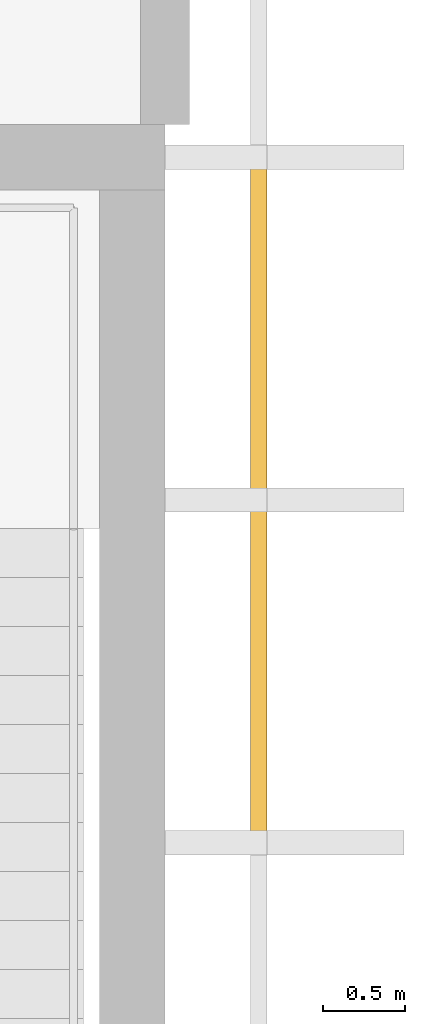
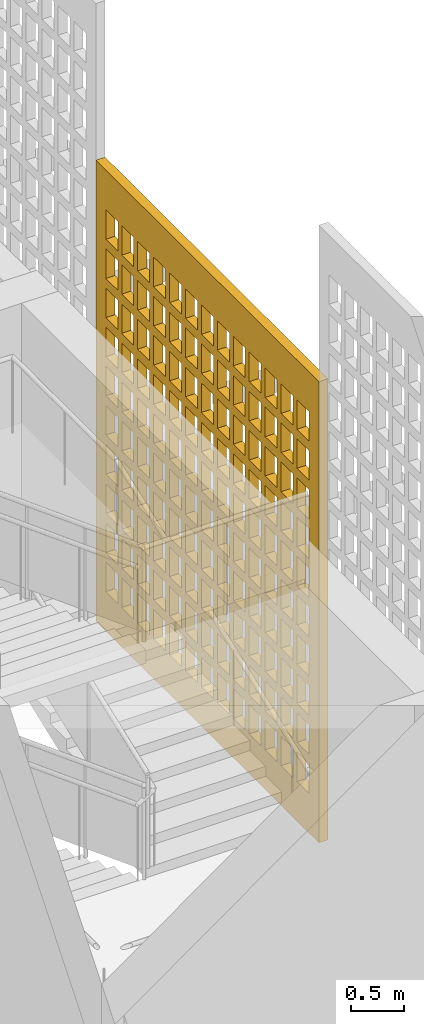
# One storey, part 17 of 23: 1 shading device, 1 opening.
"""IFC4 building model written with IfcOpenShell, lengths in metres."""

import ifcopenshell
import ifcopenshell.guid

model = None  # the IFC model being written
_history = None  # IfcOwnerHistory: only IFC2X3 demands one
_inside = {}  # id of a spatial element -> (the spatial element, [elements in it])
_under = {}  # id of a project, library or spatial element -> (it, [spatial elements below it])
_declared = {}  # id of a project -> (the project, [libraries it declares])
_typed = {}  # id of a type object -> (the type object, [elements of that type])
_made_of = {}  # id of a material, layer set ... -> (it, [elements and type objects made of it])


def new_model(schema):
    """Start an empty IFC model of exactly this schema.

    Asked for "IFC4X3", IfcOpenShell would pick the latest addendum, in which some entities
    have other attributes; the version numbers below select the first issue.
    IFC2X3 requires an IfcOwnerHistory on every rooted entity: one is made here for all.
    """
    global model, _history
    if schema == "IFC4X3":
        model = ifcopenshell.file(schema_version=(4, 3, 0, 0))
    else:
        model = ifcopenshell.file(schema=schema)
    _inside.clear()
    _under.clear()
    _declared.clear()
    _typed.clear()
    _made_of.clear()
    _history = None
    if model.schema == "IFC2X3":
        org = make("IfcOrganization", Name="unknown")
        user = make(
            "IfcPersonAndOrganization",
            ThePerson=make("IfcPerson", FamilyName="unknown"),
            TheOrganization=org,
        )
        app = make(
            "IfcApplication",
            ApplicationDeveloper=org,
            Version="unknown",
            ApplicationFullName="unknown",
            ApplicationIdentifier="unknown",
        )
        _history = make(
            "IfcOwnerHistory",
            OwningUser=user,
            OwningApplication=app,
            ChangeAction="ADDED",
            CreationDate=0,
        )
    return model


def make(cls, **values):
    """One entity of the class cls with the attributes given. An attribute that is None is left unset."""
    return model.create_entity(
        cls, **{name: value for name, value in values.items() if value is not None}
    )


def rooted(cls, **values):
    """An entity with a GlobalId (a new one), such as an element, a storey or a relation."""
    return make(cls, GlobalId=ifcopenshell.guid.new(), OwnerHistory=_history, **values)


def si_unit(unit_type, name, prefix=None):
    """IfcSIUnit, for example si_unit("LENGTHUNIT", "METRE", prefix="MILLI")."""
    return make("IfcSIUnit", UnitType=unit_type, Prefix=prefix, Name=name)


def assignment(units):
    """IfcUnitAssignment: the units of a project."""
    return None if units is None else make("IfcUnitAssignment", Units=units)


def point(xyz):
    """IfcCartesianPoint."""
    return None if xyz is None else make("IfcCartesianPoint", Coordinates=xyz)


def direction(xyz):
    """IfcDirection."""
    return None if xyz is None else make("IfcDirection", DirectionRatios=xyz)


def frame(location, z_axis=None, x_axis=None):
    """IfcAxis2Placement3D, a coordinate frame: its origin and axes. An axis left out is left unset."""
    return make(
        "IfcAxis2Placement3D",
        Location=point(location),
        Axis=direction(z_axis),
        RefDirection=direction(x_axis),
    )


def frame_2d(location, x_axis=None):
    """IfcAxis2Placement2D, a coordinate frame in the plane: its origin and x axis."""
    return make(
        "IfcAxis2Placement2D", Location=point(location), RefDirection=direction(x_axis)
    )


def origin():
    """The frame at (0, 0, 0) with its axes left unset."""
    return frame((0.0, 0.0, 0.0))


def origin_2d():
    """The frame at (0, 0) in the plane with its x axis left unset."""
    return frame_2d((0.0, 0.0))


def place(relative_to, where):
    """IfcLocalPlacement: puts the frame where relative to a parent placement (None: the world)."""
    return make(
        "IfcLocalPlacement", PlacementRelTo=relative_to, RelativePlacement=where
    )


def context(
    kind, dimensions, precision=None, world=None, true_north=None, identifier=None
):
    """IfcGeometricRepresentationContext, for example the 3D "Model" context."""
    return make(
        "IfcGeometricRepresentationContext",
        ContextIdentifier=identifier,
        ContextType=kind,
        CoordinateSpaceDimension=dimensions,
        Precision=precision,
        WorldCoordinateSystem=world,
        TrueNorth=true_north,
    )


def subcontext(parent, identifier, kind, view, scale=None):
    """IfcGeometricRepresentationSubContext, for example "Body" below "Model"."""
    return make(
        "IfcGeometricRepresentationSubContext",
        ContextIdentifier=identifier,
        ContextType=kind,
        ParentContext=parent,
        TargetScale=scale,
        TargetView=view,
    )


def project(units=None, contexts=None):
    """IfcProject with its units and contexts."""
    return rooted(
        "IfcProject",
        Name="project",
        RepresentationContexts=contexts,
        UnitsInContext=assignment(units),
    )


def spatial(cls, under=None, at=None, **own):
    """A site, building, storey or space (cls), placed at a placement, below another one or the project."""
    s = rooted(cls, ObjectPlacement=at, **own)
    if under is not None:
        _under.setdefault(under.id(), (under, []))[1].append(s)
    return s


def profile(cls, at=None, kind="AREA", **sizes):
    """A parametric profile (cls). Its sizes go by their IFC names, for example OverallWidth=200.0."""
    return make(cls, ProfileType=kind, Position=at, **sizes)


def rectangle(**sizes):
    """IfcRectangleProfileDef."""
    return profile("IfcRectangleProfileDef", **sizes)


def extrude(swept, where, along, depth):
    """IfcExtrudedAreaSolid: the profile swept, set in the frame where, extruded along a direction by depth."""
    return make(
        "IfcExtrudedAreaSolid",
        SweptArea=swept,
        Position=where,
        ExtrudedDirection=direction(along),
        Depth=depth,
    )


def shape(context_of_items, identifier, shape_type, items):
    """IfcShapeRepresentation: the items that make up one representation, for example the "Body"."""
    return make(
        "IfcShapeRepresentation",
        ContextOfItems=context_of_items,
        RepresentationIdentifier=identifier,
        RepresentationType=shape_type,
        Items=items,
    )


def material(Name=None, Category=None):
    """IfcMaterial."""
    return make("IfcMaterial", Name=Name, Category=Category)


def layer(
    of_material, thickness, ventilated=None, Name=None, Category=None, Priority=None
):
    """IfcMaterialLayer: one layer of a wall or slab, of a material (None: an air gap)."""
    return make(
        "IfcMaterialLayer",
        Material=of_material,
        LayerThickness=thickness,
        IsVentilated=ventilated,
        Name=Name,
        Category=Category,
        Priority=Priority,
    )


def layer_set(layers, Name=None):
    """IfcMaterialLayerSet."""
    return make("IfcMaterialLayerSet", MaterialLayers=layers, LayerSetName=Name)


def made_of(thing, what):
    """Note that an element or type object is made of a material, layer set ...; save() writes the relation."""
    if what is not None:
        _made_of.setdefault(what.id(), (what, []))[1].append(thing)
    return thing


def type_object(cls, material=None, **own):
    """A type object (cls), such as IfcWallType, which elements share."""
    return made_of(rooted(cls, **own), material)


def element(
    cls,
    number,
    at=None,
    inside=None,
    cuts=None,
    type_object=None,
    material=None,
    context=None,
    identifier="Body",
    shape_type=None,
    held_by="IfcProductDefinitionShape",
    body=None,
    shapes=None,
    **own,
):
    """One element of the class cls, such as IfcWall. Its Tag is "e" and its number.

    at: its placement. inside: the storey or other place that contains it. cuts: it is an
    opening in that element (IfcRelVoidsElement). A single representation is given by context,
    identifier, shape_type and body (its items); several are given by shapes. held_by: the class
    of the entity that holds the representations. save() writes the other relations.
    """
    e = rooted(cls, Tag="e%d" % number, ObjectPlacement=at, **own)
    if body is not None:
        shapes = [shape(context, identifier, shape_type, body)]
    if shapes is not None:
        e.Representation = make(held_by, Representations=shapes)
    if inside is not None:
        _inside.setdefault(inside.id(), (inside, []))[1].append(e)
    if cuts is not None:
        rooted(
            "IfcRelVoidsElement", RelatingBuildingElement=cuts, RelatedOpeningElement=e
        )
    if type_object is not None:
        _typed.setdefault(type_object.id(), (type_object, []))[1].append(e)
    return made_of(e, material)


def aggregate(whole, parts):
    """IfcRelAggregates: a whole, such as a stair, and the parts it consists of."""
    return rooted("IfcRelAggregates", RelatingObject=whole, RelatedObjects=parts)


def save(model, path):
    """Write the relations noted so far, then the file.

    IfcRelAggregates (storeys below a building ...), IfcRelContainedInSpatialStructure (elements
    in a storey), IfcRelDefinesByType, IfcRelAssociatesMaterial and IfcRelDeclares: one each for
    every whole, place, type object, material and project.
    """
    for whole, parts in _under.values():
        aggregate(whole, parts)
    for where, things in _inside.values():
        rooted(
            "IfcRelContainedInSpatialStructure",
            RelatedElements=things,
            RelatingStructure=where,
        )
    for kind, things in _typed.values():
        rooted("IfcRelDefinesByType", RelatedObjects=things, RelatingType=kind)
    for what, things in _made_of.values():
        rooted("IfcRelAssociatesMaterial", RelatedObjects=things, RelatingMaterial=what)
    for by, libraries in _declared.values():
        rooted("IfcRelDeclares", RelatingContext=by, RelatedDefinitions=libraries)
    model.write(path)


model = new_model("IFC4")

# Units and contexts
model_context = context("Model", 3, precision=1e-05, world=origin(), true_north=direction((0.0, 1.0)))
body_context = subcontext(model_context, "Body", "Model", "MODEL_VIEW")
ifc_project = project(units=[si_unit("LENGTHUNIT", "METRE"), si_unit("AREAUNIT", "SQUARE_METRE"), si_unit("VOLUMEUNIT", "CUBIC_METRE"), si_unit("PLANEANGLEUNIT", "RADIAN"), si_unit("MASSUNIT", "GRAM", prefix="KILO")], contexts=[model_context])

# Site, building, storey
site_placement = place(None, origin())
site = spatial("IfcSite", under=ifc_project, at=site_placement, CompositionType="ELEMENT")
building_placement = place(site_placement, origin())
building = spatial("IfcBuilding", under=site, at=building_placement, Name="Rulbaag Community and Learning Centre", CompositionType="ELEMENT")
storey_placement = place(building_placement, frame((0.0, 0.0, 64.800048828125)))
storey = spatial("IfcBuildingStorey", under=building, at=storey_placement, Name="L17", CompositionType="ELEMENT", Elevation=64.800048828125)

# Shading device, opening
ifc_material = material(Name="Concrete M40", Category="concrete")
ifc_layer = layer(ifc_material, 0.10009765625)
ifc_layer_set = layer_set([ifc_layer], Name="JC-4")
shading_device_type = type_object("IfcShadingDeviceType", Name="JC-4", PredefinedType="SHUTTER", material=ifc_layer_set)
shading_device_placement = place(storey_placement, frame((168.574951171875, 107.10009765625, 0.0), z_axis=(0.0, 0.0, 1.0), x_axis=(1.0, 0.0, 0.0)))
shading_device = element("IfcShadingDevice", 1, at=shading_device_placement, inside=storey, type_object=shading_device_type, Name="Jaali lantern screen", PredefinedType="SHUTTER", context=body_context, shape_type="SweptSolid", body=[
    extrude(rectangle(XDim=0.10009765625, YDim=4.199951171875, at=origin_2d()), origin(), (0.0, 0.0, 1.0), 5.300048828125),
])
opening_placement = place(shading_device_placement, origin())
element("IfcOpeningElement", 2, at=opening_placement, cuts=shading_device, Name="Perforation JC4", PredefinedType="OPENING", context=body_context, shape_type="SweptSolid", body=[
    extrude(rectangle(XDim=0.22509765625, YDim=0.340087890625, at=origin_2d()), frame((-0.06005859375, -1.800048828125, 0.625), z_axis=(1.0, 0.0, 0.0), x_axis=(0.0, 1.0, 0.0)), (0.0, 0.0, 1.0), 0.1201171875),
    extrude(rectangle(XDim=0.22509765625, YDim=0.340087890625, at=origin_2d()), frame((-0.06005859375, -1.5, 0.625), z_axis=(1.0, 0.0, 0.0), x_axis=(0.0, 1.0, 0.0)), (0.0, 0.0, 1.0), 0.1201171875),
    extrude(rectangle(XDim=0.22509765625, YDim=0.340087890625, at=origin_2d()), frame((-0.06005859375, -1.199951171875, 0.625), z_axis=(1.0, 0.0, 0.0), x_axis=(0.0, 1.0, 0.0)), (0.0, 0.0, 1.0), 0.1201171875),
    extrude(rectangle(XDim=0.22509765625, YDim=0.340087890625, at=origin_2d()), frame((-0.06005859375, -0.89990234375, 0.625), z_axis=(1.0, 0.0, 0.0), x_axis=(0.0, 1.0, 0.0)), (0.0, 0.0, 1.0), 0.1201171875),
    extrude(rectangle(XDim=0.22509765625, YDim=0.340087890625, at=origin_2d()), frame((-0.06005859375, -0.60009765625, 0.625), z_axis=(1.0, 0.0, 0.0), x_axis=(0.0, 1.0, 0.0)), (0.0, 0.0, 1.0), 0.1201171875),
    extrude(rectangle(XDim=0.22509765625, YDim=0.340087890625, at=origin_2d()), frame((-0.06005859375, -0.300048828125, 0.625), z_axis=(1.0, 0.0, 0.0), x_axis=(0.0, 1.0, 0.0)), (0.0, 0.0, 1.0), 0.1201171875),
    extrude(rectangle(XDim=0.22509765625, YDim=0.340087890625, at=origin_2d()), frame((-0.06005859375, 0.0, 0.625), z_axis=(1.0, 0.0, 0.0), x_axis=(0.0, 1.0, 0.0)), (0.0, 0.0, 1.0), 0.1201171875),
    extrude(rectangle(XDim=0.22509765625, YDim=0.340087890625, at=origin_2d()), frame((-0.06005859375, 0.300048828125, 0.625), z_axis=(1.0, 0.0, 0.0), x_axis=(0.0, 1.0, 0.0)), (0.0, 0.0, 1.0), 0.1201171875),
    extrude(rectangle(XDim=0.22509765625, YDim=0.340087890625, at=origin_2d()), frame((-0.06005859375, 0.60009765625, 0.625), z_axis=(1.0, 0.0, 0.0), x_axis=(0.0, 1.0, 0.0)), (0.0, 0.0, 1.0), 0.1201171875),
    extrude(rectangle(XDim=0.22509765625, YDim=0.340087890625, at=origin_2d()), frame((-0.06005859375, 0.89990234375, 0.625), z_axis=(1.0, 0.0, 0.0), x_axis=(0.0, 1.0, 0.0)), (0.0, 0.0, 1.0), 0.1201171875),
    extrude(rectangle(XDim=0.22509765625, YDim=0.340087890625, at=origin_2d()), frame((-0.06005859375, 1.199951171875, 0.625), z_axis=(1.0, 0.0, 0.0), x_axis=(0.0, 1.0, 0.0)), (0.0, 0.0, 1.0), 0.1201171875),
    extrude(rectangle(XDim=0.22509765625, YDim=0.340087890625, at=origin_2d()), frame((-0.06005859375, 1.5, 0.625), z_axis=(1.0, 0.0, 0.0), x_axis=(0.0, 1.0, 0.0)), (0.0, 0.0, 1.0), 0.1201171875),
    extrude(rectangle(XDim=0.22509765625, YDim=0.340087890625, at=origin_2d()), frame((-0.06005859375, 1.800048828125, 0.625), z_axis=(1.0, 0.0, 0.0), x_axis=(0.0, 1.0, 0.0)), (0.0, 0.0, 1.0), 0.1201171875),
    extrude(rectangle(XDim=0.22509765625, YDim=0.340087890625, at=origin_2d()), frame((-0.06005859375, -1.800048828125, 1.074951171875), z_axis=(1.0, 0.0, 0.0), x_axis=(0.0, 1.0, 0.0)), (0.0, 0.0, 1.0), 0.1201171875),
    extrude(rectangle(XDim=0.22509765625, YDim=0.340087890625, at=origin_2d()), frame((-0.06005859375, -1.5, 1.074951171875), z_axis=(1.0, 0.0, 0.0), x_axis=(0.0, 1.0, 0.0)), (0.0, 0.0, 1.0), 0.1201171875),
    extrude(rectangle(XDim=0.22509765625, YDim=0.340087890625, at=origin_2d()), frame((-0.06005859375, -1.199951171875, 1.074951171875), z_axis=(1.0, 0.0, 0.0), x_axis=(0.0, 1.0, 0.0)), (0.0, 0.0, 1.0), 0.1201171875),
    extrude(rectangle(XDim=0.22509765625, YDim=0.340087890625, at=origin_2d()), frame((-0.06005859375, -0.89990234375, 1.074951171875), z_axis=(1.0, 0.0, 0.0), x_axis=(0.0, 1.0, 0.0)), (0.0, 0.0, 1.0), 0.1201171875),
    extrude(rectangle(XDim=0.22509765625, YDim=0.340087890625, at=origin_2d()), frame((-0.06005859375, -0.60009765625, 1.074951171875), z_axis=(1.0, 0.0, 0.0), x_axis=(0.0, 1.0, 0.0)), (0.0, 0.0, 1.0), 0.1201171875),
    extrude(rectangle(XDim=0.22509765625, YDim=0.340087890625, at=origin_2d()), frame((-0.06005859375, -0.300048828125, 1.074951171875), z_axis=(1.0, 0.0, 0.0), x_axis=(0.0, 1.0, 0.0)), (0.0, 0.0, 1.0), 0.1201171875),
    extrude(rectangle(XDim=0.22509765625, YDim=0.340087890625, at=origin_2d()), frame((-0.06005859375, 0.0, 1.074951171875), z_axis=(1.0, 0.0, 0.0), x_axis=(0.0, 1.0, 0.0)), (0.0, 0.0, 1.0), 0.1201171875),
    extrude(rectangle(XDim=0.22509765625, YDim=0.340087890625, at=origin_2d()), frame((-0.06005859375, 0.300048828125, 1.074951171875), z_axis=(1.0, 0.0, 0.0), x_axis=(0.0, 1.0, 0.0)), (0.0, 0.0, 1.0), 0.1201171875),
    extrude(rectangle(XDim=0.22509765625, YDim=0.340087890625, at=origin_2d()), frame((-0.06005859375, 0.60009765625, 1.074951171875), z_axis=(1.0, 0.0, 0.0), x_axis=(0.0, 1.0, 0.0)), (0.0, 0.0, 1.0), 0.1201171875),
    extrude(rectangle(XDim=0.22509765625, YDim=0.340087890625, at=origin_2d()), frame((-0.06005859375, 0.89990234375, 1.074951171875), z_axis=(1.0, 0.0, 0.0), x_axis=(0.0, 1.0, 0.0)), (0.0, 0.0, 1.0), 0.1201171875),
    extrude(rectangle(XDim=0.22509765625, YDim=0.340087890625, at=origin_2d()), frame((-0.06005859375, 1.199951171875, 1.074951171875), z_axis=(1.0, 0.0, 0.0), x_axis=(0.0, 1.0, 0.0)), (0.0, 0.0, 1.0), 0.1201171875),
    extrude(rectangle(XDim=0.22509765625, YDim=0.340087890625, at=origin_2d()), frame((-0.06005859375, 1.5, 1.074951171875), z_axis=(1.0, 0.0, 0.0), x_axis=(0.0, 1.0, 0.0)), (0.0, 0.0, 1.0), 0.1201171875),
    extrude(rectangle(XDim=0.22509765625, YDim=0.340087890625, at=origin_2d()), frame((-0.06005859375, 1.800048828125, 1.074951171875), z_axis=(1.0, 0.0, 0.0), x_axis=(0.0, 1.0, 0.0)), (0.0, 0.0, 1.0), 0.1201171875),
    extrude(rectangle(XDim=0.22509765625, YDim=0.340087890625, at=origin_2d()), frame((-0.06005859375, -1.800048828125, 1.52490234375), z_axis=(1.0, 0.0, 0.0), x_axis=(0.0, 1.0, 0.0)), (0.0, 0.0, 1.0), 0.1201171875),
    extrude(rectangle(XDim=0.22509765625, YDim=0.340087890625, at=origin_2d()), frame((-0.06005859375, -1.5, 1.52490234375), z_axis=(1.0, 0.0, 0.0), x_axis=(0.0, 1.0, 0.0)), (0.0, 0.0, 1.0), 0.1201171875),
    extrude(rectangle(XDim=0.22509765625, YDim=0.340087890625, at=origin_2d()), frame((-0.06005859375, -1.199951171875, 1.52490234375), z_axis=(1.0, 0.0, 0.0), x_axis=(0.0, 1.0, 0.0)), (0.0, 0.0, 1.0), 0.1201171875),
    extrude(rectangle(XDim=0.22509765625, YDim=0.340087890625, at=origin_2d()), frame((-0.06005859375, -0.89990234375, 1.52490234375), z_axis=(1.0, 0.0, 0.0), x_axis=(0.0, 1.0, 0.0)), (0.0, 0.0, 1.0), 0.1201171875),
    extrude(rectangle(XDim=0.22509765625, YDim=0.340087890625, at=origin_2d()), frame((-0.06005859375, -0.60009765625, 1.52490234375), z_axis=(1.0, 0.0, 0.0), x_axis=(0.0, 1.0, 0.0)), (0.0, 0.0, 1.0), 0.1201171875),
    extrude(rectangle(XDim=0.22509765625, YDim=0.340087890625, at=origin_2d()), frame((-0.06005859375, -0.300048828125, 1.52490234375), z_axis=(1.0, 0.0, 0.0), x_axis=(0.0, 1.0, 0.0)), (0.0, 0.0, 1.0), 0.1201171875),
    extrude(rectangle(XDim=0.22509765625, YDim=0.340087890625, at=origin_2d()), frame((-0.06005859375, 0.0, 1.52490234375), z_axis=(1.0, 0.0, 0.0), x_axis=(0.0, 1.0, 0.0)), (0.0, 0.0, 1.0), 0.1201171875),
    extrude(rectangle(XDim=0.22509765625, YDim=0.340087890625, at=origin_2d()), frame((-0.06005859375, 0.300048828125, 1.52490234375), z_axis=(1.0, 0.0, 0.0), x_axis=(0.0, 1.0, 0.0)), (0.0, 0.0, 1.0), 0.1201171875),
    extrude(rectangle(XDim=0.22509765625, YDim=0.340087890625, at=origin_2d()), frame((-0.06005859375, 0.60009765625, 1.52490234375), z_axis=(1.0, 0.0, 0.0), x_axis=(0.0, 1.0, 0.0)), (0.0, 0.0, 1.0), 0.1201171875),
    extrude(rectangle(XDim=0.22509765625, YDim=0.340087890625, at=origin_2d()), frame((-0.06005859375, 0.89990234375, 1.52490234375), z_axis=(1.0, 0.0, 0.0), x_axis=(0.0, 1.0, 0.0)), (0.0, 0.0, 1.0), 0.1201171875),
    extrude(rectangle(XDim=0.22509765625, YDim=0.340087890625, at=origin_2d()), frame((-0.06005859375, 1.199951171875, 1.52490234375), z_axis=(1.0, 0.0, 0.0), x_axis=(0.0, 1.0, 0.0)), (0.0, 0.0, 1.0), 0.1201171875),
    extrude(rectangle(XDim=0.22509765625, YDim=0.340087890625, at=origin_2d()), frame((-0.06005859375, 1.5, 1.52490234375), z_axis=(1.0, 0.0, 0.0), x_axis=(0.0, 1.0, 0.0)), (0.0, 0.0, 1.0), 0.1201171875),
    extrude(rectangle(XDim=0.22509765625, YDim=0.340087890625, at=origin_2d()), frame((-0.06005859375, 1.800048828125, 1.52490234375), z_axis=(1.0, 0.0, 0.0), x_axis=(0.0, 1.0, 0.0)), (0.0, 0.0, 1.0), 0.1201171875),
    extrude(rectangle(XDim=0.22509765625, YDim=0.340087890625, at=origin_2d()), frame((-0.06005859375, -1.800048828125, 1.97509765625), z_axis=(1.0, 0.0, 0.0), x_axis=(0.0, 1.0, 0.0)), (0.0, 0.0, 1.0), 0.1201171875),
    extrude(rectangle(XDim=0.22509765625, YDim=0.340087890625, at=origin_2d()), frame((-0.06005859375, -1.5, 1.97509765625), z_axis=(1.0, 0.0, 0.0), x_axis=(0.0, 1.0, 0.0)), (0.0, 0.0, 1.0), 0.1201171875),
    extrude(rectangle(XDim=0.22509765625, YDim=0.340087890625, at=origin_2d()), frame((-0.06005859375, -1.199951171875, 1.97509765625), z_axis=(1.0, 0.0, 0.0), x_axis=(0.0, 1.0, 0.0)), (0.0, 0.0, 1.0), 0.1201171875),
    extrude(rectangle(XDim=0.22509765625, YDim=0.340087890625, at=origin_2d()), frame((-0.06005859375, -0.89990234375, 1.97509765625), z_axis=(1.0, 0.0, 0.0), x_axis=(0.0, 1.0, 0.0)), (0.0, 0.0, 1.0), 0.1201171875),
    extrude(rectangle(XDim=0.22509765625, YDim=0.340087890625, at=origin_2d()), frame((-0.06005859375, -0.60009765625, 1.97509765625), z_axis=(1.0, 0.0, 0.0), x_axis=(0.0, 1.0, 0.0)), (0.0, 0.0, 1.0), 0.1201171875),
    extrude(rectangle(XDim=0.22509765625, YDim=0.340087890625, at=origin_2d()), frame((-0.06005859375, -0.300048828125, 1.97509765625), z_axis=(1.0, 0.0, 0.0), x_axis=(0.0, 1.0, 0.0)), (0.0, 0.0, 1.0), 0.1201171875),
    extrude(rectangle(XDim=0.22509765625, YDim=0.340087890625, at=origin_2d()), frame((-0.06005859375, 0.0, 1.97509765625), z_axis=(1.0, 0.0, 0.0), x_axis=(0.0, 1.0, 0.0)), (0.0, 0.0, 1.0), 0.1201171875),
    extrude(rectangle(XDim=0.22509765625, YDim=0.340087890625, at=origin_2d()), frame((-0.06005859375, 0.300048828125, 1.97509765625), z_axis=(1.0, 0.0, 0.0), x_axis=(0.0, 1.0, 0.0)), (0.0, 0.0, 1.0), 0.1201171875),
    extrude(rectangle(XDim=0.22509765625, YDim=0.340087890625, at=origin_2d()), frame((-0.06005859375, 0.60009765625, 1.97509765625), z_axis=(1.0, 0.0, 0.0), x_axis=(0.0, 1.0, 0.0)), (0.0, 0.0, 1.0), 0.1201171875),
    extrude(rectangle(XDim=0.22509765625, YDim=0.340087890625, at=origin_2d()), frame((-0.06005859375, 0.89990234375, 1.97509765625), z_axis=(1.0, 0.0, 0.0), x_axis=(0.0, 1.0, 0.0)), (0.0, 0.0, 1.0), 0.1201171875),
    extrude(rectangle(XDim=0.22509765625, YDim=0.340087890625, at=origin_2d()), frame((-0.06005859375, 1.199951171875, 1.97509765625), z_axis=(1.0, 0.0, 0.0), x_axis=(0.0, 1.0, 0.0)), (0.0, 0.0, 1.0), 0.1201171875),
    extrude(rectangle(XDim=0.22509765625, YDim=0.340087890625, at=origin_2d()), frame((-0.06005859375, 1.5, 1.97509765625), z_axis=(1.0, 0.0, 0.0), x_axis=(0.0, 1.0, 0.0)), (0.0, 0.0, 1.0), 0.1201171875),
    extrude(rectangle(XDim=0.22509765625, YDim=0.340087890625, at=origin_2d()), frame((-0.06005859375, 1.800048828125, 1.97509765625), z_axis=(1.0, 0.0, 0.0), x_axis=(0.0, 1.0, 0.0)), (0.0, 0.0, 1.0), 0.1201171875),
    extrude(rectangle(XDim=0.22509765625, YDim=0.340087890625, at=origin_2d()), frame((-0.06005859375, -1.800048828125, 2.425048828125), z_axis=(1.0, 0.0, 0.0), x_axis=(0.0, 1.0, 0.0)), (0.0, 0.0, 1.0), 0.1201171875),
    extrude(rectangle(XDim=0.22509765625, YDim=0.340087890625, at=origin_2d()), frame((-0.06005859375, -1.5, 2.425048828125), z_axis=(1.0, 0.0, 0.0), x_axis=(0.0, 1.0, 0.0)), (0.0, 0.0, 1.0), 0.1201171875),
    extrude(rectangle(XDim=0.22509765625, YDim=0.340087890625, at=origin_2d()), frame((-0.06005859375, -1.199951171875, 2.425048828125), z_axis=(1.0, 0.0, 0.0), x_axis=(0.0, 1.0, 0.0)), (0.0, 0.0, 1.0), 0.1201171875),
    extrude(rectangle(XDim=0.22509765625, YDim=0.340087890625, at=origin_2d()), frame((-0.06005859375, -0.89990234375, 2.425048828125), z_axis=(1.0, 0.0, 0.0), x_axis=(0.0, 1.0, 0.0)), (0.0, 0.0, 1.0), 0.1201171875),
    extrude(rectangle(XDim=0.22509765625, YDim=0.340087890625, at=origin_2d()), frame((-0.06005859375, -0.60009765625, 2.425048828125), z_axis=(1.0, 0.0, 0.0), x_axis=(0.0, 1.0, 0.0)), (0.0, 0.0, 1.0), 0.1201171875),
    extrude(rectangle(XDim=0.22509765625, YDim=0.340087890625, at=origin_2d()), frame((-0.06005859375, -0.300048828125, 2.425048828125), z_axis=(1.0, 0.0, 0.0), x_axis=(0.0, 1.0, 0.0)), (0.0, 0.0, 1.0), 0.1201171875),
    extrude(rectangle(XDim=0.22509765625, YDim=0.340087890625, at=origin_2d()), frame((-0.06005859375, 0.0, 2.425048828125), z_axis=(1.0, 0.0, 0.0), x_axis=(0.0, 1.0, 0.0)), (0.0, 0.0, 1.0), 0.1201171875),
    extrude(rectangle(XDim=0.22509765625, YDim=0.340087890625, at=origin_2d()), frame((-0.06005859375, 0.300048828125, 2.425048828125), z_axis=(1.0, 0.0, 0.0), x_axis=(0.0, 1.0, 0.0)), (0.0, 0.0, 1.0), 0.1201171875),
    extrude(rectangle(XDim=0.22509765625, YDim=0.340087890625, at=origin_2d()), frame((-0.06005859375, 0.60009765625, 2.425048828125), z_axis=(1.0, 0.0, 0.0), x_axis=(0.0, 1.0, 0.0)), (0.0, 0.0, 1.0), 0.1201171875),
    extrude(rectangle(XDim=0.22509765625, YDim=0.340087890625, at=origin_2d()), frame((-0.06005859375, 0.89990234375, 2.425048828125), z_axis=(1.0, 0.0, 0.0), x_axis=(0.0, 1.0, 0.0)), (0.0, 0.0, 1.0), 0.1201171875),
    extrude(rectangle(XDim=0.22509765625, YDim=0.340087890625, at=origin_2d()), frame((-0.06005859375, 1.199951171875, 2.425048828125), z_axis=(1.0, 0.0, 0.0), x_axis=(0.0, 1.0, 0.0)), (0.0, 0.0, 1.0), 0.1201171875),
    extrude(rectangle(XDim=0.22509765625, YDim=0.340087890625, at=origin_2d()), frame((-0.06005859375, 1.5, 2.425048828125), z_axis=(1.0, 0.0, 0.0), x_axis=(0.0, 1.0, 0.0)), (0.0, 0.0, 1.0), 0.1201171875),
    extrude(rectangle(XDim=0.22509765625, YDim=0.340087890625, at=origin_2d()), frame((-0.06005859375, 1.800048828125, 2.425048828125), z_axis=(1.0, 0.0, 0.0), x_axis=(0.0, 1.0, 0.0)), (0.0, 0.0, 1.0), 0.1201171875),
    extrude(rectangle(XDim=0.22509765625, YDim=0.340087890625, at=origin_2d()), frame((-0.06005859375, -1.800048828125, 2.875), z_axis=(1.0, 0.0, 0.0), x_axis=(0.0, 1.0, 0.0)), (0.0, 0.0, 1.0), 0.1201171875),
    extrude(rectangle(XDim=0.22509765625, YDim=0.340087890625, at=origin_2d()), frame((-0.06005859375, -1.5, 2.875), z_axis=(1.0, 0.0, 0.0), x_axis=(0.0, 1.0, 0.0)), (0.0, 0.0, 1.0), 0.1201171875),
    extrude(rectangle(XDim=0.22509765625, YDim=0.340087890625, at=origin_2d()), frame((-0.06005859375, -1.199951171875, 2.875), z_axis=(1.0, 0.0, 0.0), x_axis=(0.0, 1.0, 0.0)), (0.0, 0.0, 1.0), 0.1201171875),
    extrude(rectangle(XDim=0.22509765625, YDim=0.340087890625, at=origin_2d()), frame((-0.06005859375, -0.89990234375, 2.875), z_axis=(1.0, 0.0, 0.0), x_axis=(0.0, 1.0, 0.0)), (0.0, 0.0, 1.0), 0.1201171875),
    extrude(rectangle(XDim=0.22509765625, YDim=0.340087890625, at=origin_2d()), frame((-0.06005859375, -0.60009765625, 2.875), z_axis=(1.0, 0.0, 0.0), x_axis=(0.0, 1.0, 0.0)), (0.0, 0.0, 1.0), 0.1201171875),
    extrude(rectangle(XDim=0.22509765625, YDim=0.340087890625, at=origin_2d()), frame((-0.06005859375, -0.300048828125, 2.875), z_axis=(1.0, 0.0, 0.0), x_axis=(0.0, 1.0, 0.0)), (0.0, 0.0, 1.0), 0.1201171875),
    extrude(rectangle(XDim=0.22509765625, YDim=0.340087890625, at=origin_2d()), frame((-0.06005859375, 0.0, 2.875), z_axis=(1.0, 0.0, 0.0), x_axis=(0.0, 1.0, 0.0)), (0.0, 0.0, 1.0), 0.1201171875),
    extrude(rectangle(XDim=0.22509765625, YDim=0.340087890625, at=origin_2d()), frame((-0.06005859375, 0.300048828125, 2.875), z_axis=(1.0, 0.0, 0.0), x_axis=(0.0, 1.0, 0.0)), (0.0, 0.0, 1.0), 0.1201171875),
    extrude(rectangle(XDim=0.22509765625, YDim=0.340087890625, at=origin_2d()), frame((-0.06005859375, 0.60009765625, 2.875), z_axis=(1.0, 0.0, 0.0), x_axis=(0.0, 1.0, 0.0)), (0.0, 0.0, 1.0), 0.1201171875),
    extrude(rectangle(XDim=0.22509765625, YDim=0.340087890625, at=origin_2d()), frame((-0.06005859375, 0.89990234375, 2.875), z_axis=(1.0, 0.0, 0.0), x_axis=(0.0, 1.0, 0.0)), (0.0, 0.0, 1.0), 0.1201171875),
    extrude(rectangle(XDim=0.22509765625, YDim=0.340087890625, at=origin_2d()), frame((-0.06005859375, 1.199951171875, 2.875), z_axis=(1.0, 0.0, 0.0), x_axis=(0.0, 1.0, 0.0)), (0.0, 0.0, 1.0), 0.1201171875),
    extrude(rectangle(XDim=0.22509765625, YDim=0.340087890625, at=origin_2d()), frame((-0.06005859375, 1.5, 2.875), z_axis=(1.0, 0.0, 0.0), x_axis=(0.0, 1.0, 0.0)), (0.0, 0.0, 1.0), 0.1201171875),
    extrude(rectangle(XDim=0.22509765625, YDim=0.340087890625, at=origin_2d()), frame((-0.06005859375, 1.800048828125, 2.875), z_axis=(1.0, 0.0, 0.0), x_axis=(0.0, 1.0, 0.0)), (0.0, 0.0, 1.0), 0.1201171875),
    extrude(rectangle(XDim=0.22509765625, YDim=0.340087890625, at=origin_2d()), frame((-0.06005859375, -1.800048828125, 3.324951171875), z_axis=(1.0, 0.0, 0.0), x_axis=(0.0, 1.0, 0.0)), (0.0, 0.0, 1.0), 0.1201171875),
    extrude(rectangle(XDim=0.22509765625, YDim=0.340087890625, at=origin_2d()), frame((-0.06005859375, -1.5, 3.324951171875), z_axis=(1.0, 0.0, 0.0), x_axis=(0.0, 1.0, 0.0)), (0.0, 0.0, 1.0), 0.1201171875),
    extrude(rectangle(XDim=0.22509765625, YDim=0.340087890625, at=origin_2d()), frame((-0.06005859375, -1.199951171875, 3.324951171875), z_axis=(1.0, 0.0, 0.0), x_axis=(0.0, 1.0, 0.0)), (0.0, 0.0, 1.0), 0.1201171875),
    extrude(rectangle(XDim=0.22509765625, YDim=0.340087890625, at=origin_2d()), frame((-0.06005859375, -0.89990234375, 3.324951171875), z_axis=(1.0, 0.0, 0.0), x_axis=(0.0, 1.0, 0.0)), (0.0, 0.0, 1.0), 0.1201171875),
    extrude(rectangle(XDim=0.22509765625, YDim=0.340087890625, at=origin_2d()), frame((-0.06005859375, -0.60009765625, 3.324951171875), z_axis=(1.0, 0.0, 0.0), x_axis=(0.0, 1.0, 0.0)), (0.0, 0.0, 1.0), 0.1201171875),
    extrude(rectangle(XDim=0.22509765625, YDim=0.340087890625, at=origin_2d()), frame((-0.06005859375, -0.300048828125, 3.324951171875), z_axis=(1.0, 0.0, 0.0), x_axis=(0.0, 1.0, 0.0)), (0.0, 0.0, 1.0), 0.1201171875),
    extrude(rectangle(XDim=0.22509765625, YDim=0.340087890625, at=origin_2d()), frame((-0.06005859375, 0.0, 3.324951171875), z_axis=(1.0, 0.0, 0.0), x_axis=(0.0, 1.0, 0.0)), (0.0, 0.0, 1.0), 0.1201171875),
    extrude(rectangle(XDim=0.22509765625, YDim=0.340087890625, at=origin_2d()), frame((-0.06005859375, 0.300048828125, 3.324951171875), z_axis=(1.0, 0.0, 0.0), x_axis=(0.0, 1.0, 0.0)), (0.0, 0.0, 1.0), 0.1201171875),
    extrude(rectangle(XDim=0.22509765625, YDim=0.340087890625, at=origin_2d()), frame((-0.06005859375, 0.60009765625, 3.324951171875), z_axis=(1.0, 0.0, 0.0), x_axis=(0.0, 1.0, 0.0)), (0.0, 0.0, 1.0), 0.1201171875),
    extrude(rectangle(XDim=0.22509765625, YDim=0.340087890625, at=origin_2d()), frame((-0.06005859375, 0.89990234375, 3.324951171875), z_axis=(1.0, 0.0, 0.0), x_axis=(0.0, 1.0, 0.0)), (0.0, 0.0, 1.0), 0.1201171875),
    extrude(rectangle(XDim=0.22509765625, YDim=0.340087890625, at=origin_2d()), frame((-0.06005859375, 1.199951171875, 3.324951171875), z_axis=(1.0, 0.0, 0.0), x_axis=(0.0, 1.0, 0.0)), (0.0, 0.0, 1.0), 0.1201171875),
    extrude(rectangle(XDim=0.22509765625, YDim=0.340087890625, at=origin_2d()), frame((-0.06005859375, 1.5, 3.324951171875), z_axis=(1.0, 0.0, 0.0), x_axis=(0.0, 1.0, 0.0)), (0.0, 0.0, 1.0), 0.1201171875),
    extrude(rectangle(XDim=0.22509765625, YDim=0.340087890625, at=origin_2d()), frame((-0.06005859375, 1.800048828125, 3.324951171875), z_axis=(1.0, 0.0, 0.0), x_axis=(0.0, 1.0, 0.0)), (0.0, 0.0, 1.0), 0.1201171875),
    extrude(rectangle(XDim=0.22509765625, YDim=0.340087890625, at=origin_2d()), frame((-0.06005859375, -1.800048828125, 3.77490234375), z_axis=(1.0, 0.0, 0.0), x_axis=(0.0, 1.0, 0.0)), (0.0, 0.0, 1.0), 0.1201171875),
    extrude(rectangle(XDim=0.22509765625, YDim=0.340087890625, at=origin_2d()), frame((-0.06005859375, -1.5, 3.77490234375), z_axis=(1.0, 0.0, 0.0), x_axis=(0.0, 1.0, 0.0)), (0.0, 0.0, 1.0), 0.1201171875),
    extrude(rectangle(XDim=0.22509765625, YDim=0.340087890625, at=origin_2d()), frame((-0.06005859375, -1.199951171875, 3.77490234375), z_axis=(1.0, 0.0, 0.0), x_axis=(0.0, 1.0, 0.0)), (0.0, 0.0, 1.0), 0.1201171875),
    extrude(rectangle(XDim=0.22509765625, YDim=0.340087890625, at=origin_2d()), frame((-0.06005859375, -0.89990234375, 3.77490234375), z_axis=(1.0, 0.0, 0.0), x_axis=(0.0, 1.0, 0.0)), (0.0, 0.0, 1.0), 0.1201171875),
    extrude(rectangle(XDim=0.22509765625, YDim=0.340087890625, at=origin_2d()), frame((-0.06005859375, -0.60009765625, 3.77490234375), z_axis=(1.0, 0.0, 0.0), x_axis=(0.0, 1.0, 0.0)), (0.0, 0.0, 1.0), 0.1201171875),
    extrude(rectangle(XDim=0.22509765625, YDim=0.340087890625, at=origin_2d()), frame((-0.06005859375, -0.300048828125, 3.77490234375), z_axis=(1.0, 0.0, 0.0), x_axis=(0.0, 1.0, 0.0)), (0.0, 0.0, 1.0), 0.1201171875),
    extrude(rectangle(XDim=0.22509765625, YDim=0.340087890625, at=origin_2d()), frame((-0.06005859375, 0.0, 3.77490234375), z_axis=(1.0, 0.0, 0.0), x_axis=(0.0, 1.0, 0.0)), (0.0, 0.0, 1.0), 0.1201171875),
    extrude(rectangle(XDim=0.22509765625, YDim=0.340087890625, at=origin_2d()), frame((-0.06005859375, 0.300048828125, 3.77490234375), z_axis=(1.0, 0.0, 0.0), x_axis=(0.0, 1.0, 0.0)), (0.0, 0.0, 1.0), 0.1201171875),
    extrude(rectangle(XDim=0.22509765625, YDim=0.340087890625, at=origin_2d()), frame((-0.06005859375, 0.60009765625, 3.77490234375), z_axis=(1.0, 0.0, 0.0), x_axis=(0.0, 1.0, 0.0)), (0.0, 0.0, 1.0), 0.1201171875),
    extrude(rectangle(XDim=0.22509765625, YDim=0.340087890625, at=origin_2d()), frame((-0.06005859375, 0.89990234375, 3.77490234375), z_axis=(1.0, 0.0, 0.0), x_axis=(0.0, 1.0, 0.0)), (0.0, 0.0, 1.0), 0.1201171875),
    extrude(rectangle(XDim=0.22509765625, YDim=0.340087890625, at=origin_2d()), frame((-0.06005859375, 1.199951171875, 3.77490234375), z_axis=(1.0, 0.0, 0.0), x_axis=(0.0, 1.0, 0.0)), (0.0, 0.0, 1.0), 0.1201171875),
    extrude(rectangle(XDim=0.22509765625, YDim=0.340087890625, at=origin_2d()), frame((-0.06005859375, 1.5, 3.77490234375), z_axis=(1.0, 0.0, 0.0), x_axis=(0.0, 1.0, 0.0)), (0.0, 0.0, 1.0), 0.1201171875),
    extrude(rectangle(XDim=0.22509765625, YDim=0.340087890625, at=origin_2d()), frame((-0.06005859375, 1.800048828125, 3.77490234375), z_axis=(1.0, 0.0, 0.0), x_axis=(0.0, 1.0, 0.0)), (0.0, 0.0, 1.0), 0.1201171875),
    extrude(rectangle(XDim=0.22509765625, YDim=0.340087890625, at=origin_2d()), frame((-0.06005859375, -1.800048828125, 4.22509765625), z_axis=(1.0, 0.0, 0.0), x_axis=(0.0, 1.0, 0.0)), (0.0, 0.0, 1.0), 0.1201171875),
    extrude(rectangle(XDim=0.22509765625, YDim=0.340087890625, at=origin_2d()), frame((-0.06005859375, -1.5, 4.22509765625), z_axis=(1.0, 0.0, 0.0), x_axis=(0.0, 1.0, 0.0)), (0.0, 0.0, 1.0), 0.1201171875),
    extrude(rectangle(XDim=0.22509765625, YDim=0.340087890625, at=origin_2d()), frame((-0.06005859375, -1.199951171875, 4.22509765625), z_axis=(1.0, 0.0, 0.0), x_axis=(0.0, 1.0, 0.0)), (0.0, 0.0, 1.0), 0.1201171875),
    extrude(rectangle(XDim=0.22509765625, YDim=0.340087890625, at=origin_2d()), frame((-0.06005859375, -0.89990234375, 4.22509765625), z_axis=(1.0, 0.0, 0.0), x_axis=(0.0, 1.0, 0.0)), (0.0, 0.0, 1.0), 0.1201171875),
    extrude(rectangle(XDim=0.22509765625, YDim=0.340087890625, at=origin_2d()), frame((-0.06005859375, -0.60009765625, 4.22509765625), z_axis=(1.0, 0.0, 0.0), x_axis=(0.0, 1.0, 0.0)), (0.0, 0.0, 1.0), 0.1201171875),
    extrude(rectangle(XDim=0.22509765625, YDim=0.340087890625, at=origin_2d()), frame((-0.06005859375, -0.300048828125, 4.22509765625), z_axis=(1.0, 0.0, 0.0), x_axis=(0.0, 1.0, 0.0)), (0.0, 0.0, 1.0), 0.1201171875),
    extrude(rectangle(XDim=0.22509765625, YDim=0.340087890625, at=origin_2d()), frame((-0.06005859375, 0.0, 4.22509765625), z_axis=(1.0, 0.0, 0.0), x_axis=(0.0, 1.0, 0.0)), (0.0, 0.0, 1.0), 0.1201171875),
    extrude(rectangle(XDim=0.22509765625, YDim=0.340087890625, at=origin_2d()), frame((-0.06005859375, 0.300048828125, 4.22509765625), z_axis=(1.0, 0.0, 0.0), x_axis=(0.0, 1.0, 0.0)), (0.0, 0.0, 1.0), 0.1201171875),
    extrude(rectangle(XDim=0.22509765625, YDim=0.340087890625, at=origin_2d()), frame((-0.06005859375, 0.60009765625, 4.22509765625), z_axis=(1.0, 0.0, 0.0), x_axis=(0.0, 1.0, 0.0)), (0.0, 0.0, 1.0), 0.1201171875),
    extrude(rectangle(XDim=0.22509765625, YDim=0.340087890625, at=origin_2d()), frame((-0.06005859375, 0.89990234375, 4.22509765625), z_axis=(1.0, 0.0, 0.0), x_axis=(0.0, 1.0, 0.0)), (0.0, 0.0, 1.0), 0.1201171875),
    extrude(rectangle(XDim=0.22509765625, YDim=0.340087890625, at=origin_2d()), frame((-0.06005859375, 1.199951171875, 4.22509765625), z_axis=(1.0, 0.0, 0.0), x_axis=(0.0, 1.0, 0.0)), (0.0, 0.0, 1.0), 0.1201171875),
    extrude(rectangle(XDim=0.22509765625, YDim=0.340087890625, at=origin_2d()), frame((-0.06005859375, 1.5, 4.22509765625), z_axis=(1.0, 0.0, 0.0), x_axis=(0.0, 1.0, 0.0)), (0.0, 0.0, 1.0), 0.1201171875),
    extrude(rectangle(XDim=0.22509765625, YDim=0.340087890625, at=origin_2d()), frame((-0.06005859375, 1.800048828125, 4.22509765625), z_axis=(1.0, 0.0, 0.0), x_axis=(0.0, 1.0, 0.0)), (0.0, 0.0, 1.0), 0.1201171875),
    extrude(rectangle(XDim=0.22509765625, YDim=0.340087890625, at=origin_2d()), frame((-0.06005859375, -1.800048828125, 4.675048828125), z_axis=(1.0, 0.0, 0.0), x_axis=(0.0, 1.0, 0.0)), (0.0, 0.0, 1.0), 0.1201171875),
    extrude(rectangle(XDim=0.22509765625, YDim=0.340087890625, at=origin_2d()), frame((-0.06005859375, -1.5, 4.675048828125), z_axis=(1.0, 0.0, 0.0), x_axis=(0.0, 1.0, 0.0)), (0.0, 0.0, 1.0), 0.1201171875),
    extrude(rectangle(XDim=0.22509765625, YDim=0.340087890625, at=origin_2d()), frame((-0.06005859375, -1.199951171875, 4.675048828125), z_axis=(1.0, 0.0, 0.0), x_axis=(0.0, 1.0, 0.0)), (0.0, 0.0, 1.0), 0.1201171875),
    extrude(rectangle(XDim=0.22509765625, YDim=0.340087890625, at=origin_2d()), frame((-0.06005859375, -0.89990234375, 4.675048828125), z_axis=(1.0, 0.0, 0.0), x_axis=(0.0, 1.0, 0.0)), (0.0, 0.0, 1.0), 0.1201171875),
    extrude(rectangle(XDim=0.22509765625, YDim=0.340087890625, at=origin_2d()), frame((-0.06005859375, -0.60009765625, 4.675048828125), z_axis=(1.0, 0.0, 0.0), x_axis=(0.0, 1.0, 0.0)), (0.0, 0.0, 1.0), 0.1201171875),
    extrude(rectangle(XDim=0.22509765625, YDim=0.340087890625, at=origin_2d()), frame((-0.06005859375, -0.300048828125, 4.675048828125), z_axis=(1.0, 0.0, 0.0), x_axis=(0.0, 1.0, 0.0)), (0.0, 0.0, 1.0), 0.1201171875),
    extrude(rectangle(XDim=0.22509765625, YDim=0.340087890625, at=origin_2d()), frame((-0.06005859375, 0.0, 4.675048828125), z_axis=(1.0, 0.0, 0.0), x_axis=(0.0, 1.0, 0.0)), (0.0, 0.0, 1.0), 0.1201171875),
    extrude(rectangle(XDim=0.22509765625, YDim=0.340087890625, at=origin_2d()), frame((-0.06005859375, 0.300048828125, 4.675048828125), z_axis=(1.0, 0.0, 0.0), x_axis=(0.0, 1.0, 0.0)), (0.0, 0.0, 1.0), 0.1201171875),
    extrude(rectangle(XDim=0.22509765625, YDim=0.340087890625, at=origin_2d()), frame((-0.06005859375, 0.60009765625, 4.675048828125), z_axis=(1.0, 0.0, 0.0), x_axis=(0.0, 1.0, 0.0)), (0.0, 0.0, 1.0), 0.1201171875),
    extrude(rectangle(XDim=0.22509765625, YDim=0.340087890625, at=origin_2d()), frame((-0.06005859375, 0.89990234375, 4.675048828125), z_axis=(1.0, 0.0, 0.0), x_axis=(0.0, 1.0, 0.0)), (0.0, 0.0, 1.0), 0.1201171875),
    extrude(rectangle(XDim=0.22509765625, YDim=0.340087890625, at=origin_2d()), frame((-0.06005859375, 1.199951171875, 4.675048828125), z_axis=(1.0, 0.0, 0.0), x_axis=(0.0, 1.0, 0.0)), (0.0, 0.0, 1.0), 0.1201171875),
    extrude(rectangle(XDim=0.22509765625, YDim=0.340087890625, at=origin_2d()), frame((-0.06005859375, 1.5, 4.675048828125), z_axis=(1.0, 0.0, 0.0), x_axis=(0.0, 1.0, 0.0)), (0.0, 0.0, 1.0), 0.1201171875),
    extrude(rectangle(XDim=0.22509765625, YDim=0.340087890625, at=origin_2d()), frame((-0.06005859375, 1.800048828125, 4.675048828125), z_axis=(1.0, 0.0, 0.0), x_axis=(0.0, 1.0, 0.0)), (0.0, 0.0, 1.0), 0.1201171875),
])

save(model, "model.ifc")
